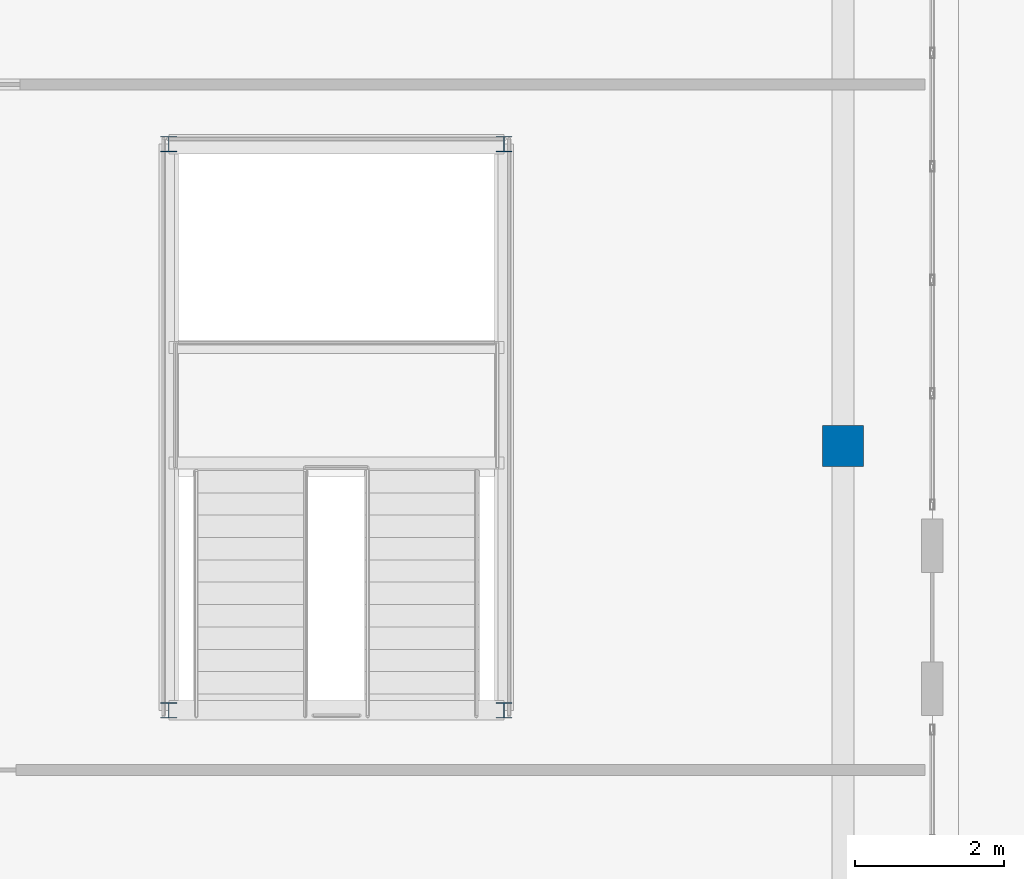
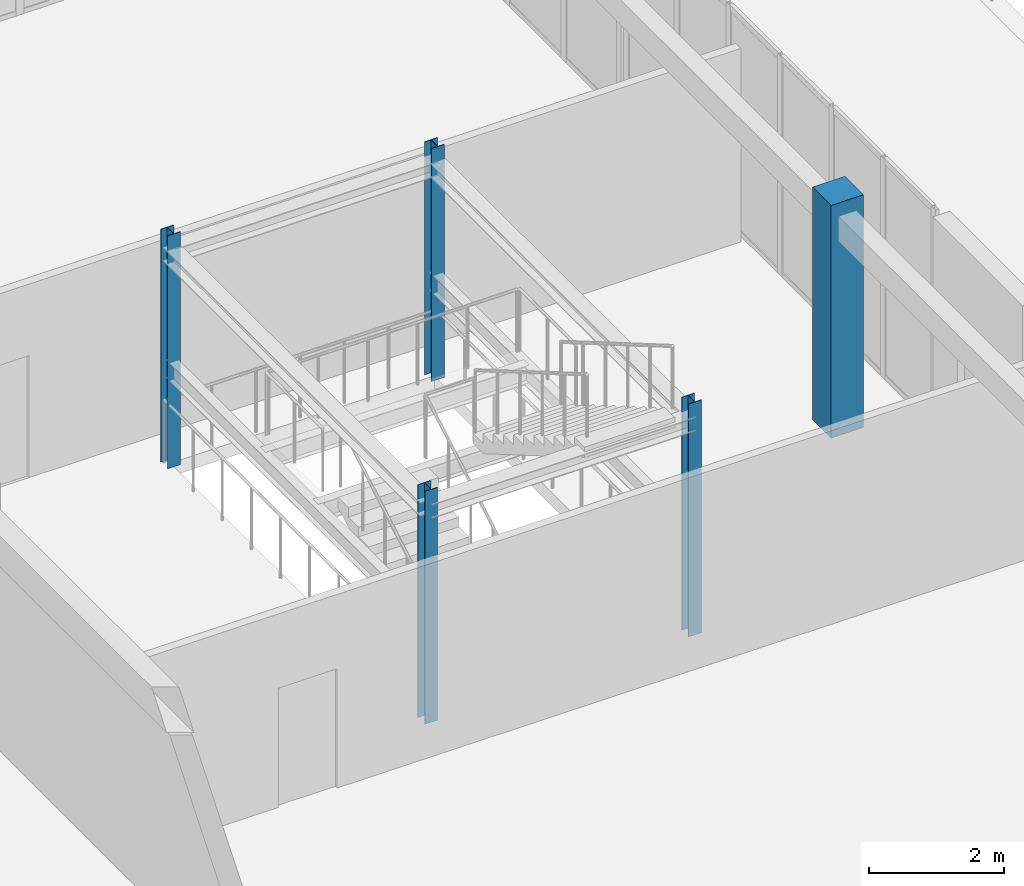
# One storey, part 4 of 90: 5 columns.
"""IFC4 building model written with IfcOpenShell, lengths in metres."""

from ifc_helpers import new_model, si_unit, direction, frame, origin, origin_2d, place, context, subcontext, project, spatial, rectangle, i_section, extrude, material, material_profile, profile_set, type_object, element, save


model = new_model("IFC4")

# Units and contexts
model_context = context("Model", 3, precision=1e-05, world=origin(), true_north=direction((0.0, 1.0)))
body_context = subcontext(model_context, "Body", "Model", "MODEL_VIEW")
ifc_project = project(units=[si_unit("LENGTHUNIT", "METRE"), si_unit("AREAUNIT", "SQUARE_METRE"), si_unit("VOLUMEUNIT", "CUBIC_METRE"), si_unit("PLANEANGLEUNIT", "RADIAN"), si_unit("MASSUNIT", "GRAM", prefix="KILO")], contexts=[model_context])

# Site, building, storey
site_placement = place(None, origin())
site = spatial("IfcSite", under=ifc_project, at=site_placement, CompositionType="ELEMENT")
building_placement = place(site_placement, origin())
building = spatial("IfcBuilding", under=site, at=building_placement, Name="Trelvath General Hospital", CompositionType="ELEMENT")
storey_placement = place(building_placement, frame((0.0, 0.0, 20.39990234375)))
storey = spatial("IfcBuildingStorey", under=building, at=storey_placement, Name="L05", CompositionType="ELEMENT", Elevation=20.39990234375)

# Columns
ifc_material_1 = material(Name="Concrete C40/50", Category="concrete")
ifc_material_profile_1 = material_profile(ifc_material_1, rectangle(XDim=0.550048828125, YDim=0.550048828125, at=origin_2d()), Name="RC550x550")
ifc_profile_set_1 = profile_set([ifc_material_profile_1], Name="Concrete C40/50")
column_type_1 = type_object("IfcColumnType", Name="Column RC550", PredefinedType="COLUMN", material=ifc_profile_set_1)
column_placement = place(storey_placement, frame((107.199951171875, 58.800048828125, 0.0), z_axis=(0.0, 0.0, 1.0), x_axis=(1.0, 0.0, 0.0)))
element("IfcColumn", 1, at=column_placement, inside=storey, type_object=column_type_1, Name="Cube Interior Column CC-E02 L05", PredefinedType="COLUMN", context=body_context, shape_type="SweptSolid", body=[
    extrude(rectangle(XDim=0.550048828125, YDim=0.550048828125, at=origin_2d()), origin(), (0.0, 0.0, 1.0), 4.2001953125),
])
ifc_material_2 = material(Name="Steel S355", Category="steel")
ifc_material_profile_2 = material_profile(ifc_material_2, i_section(OverallWidth=0.219970703125, OverallDepth=0.2099609375, WebThickness=0.007080078125, FlangeThickness=0.010986328125, at=origin_2d()), Name="HEA220")
ifc_profile_set_2 = profile_set([ifc_material_profile_2], Name="Steel S355")
column_type_2 = type_object("IfcColumnType", Name="StairPost HEA220", PredefinedType="COLUMN", material=ifc_profile_set_2)
for number, where, z_axis, x_axis, name in (
    (2, (98.14990234375, 55.25, 0.0), (0.0, 0.0, 1.0), (1.0, 0.0, 0.0), "Atrium Stair Post CUBE-E 1 L05"),
    (3, (102.64990234375, 55.25, 0.0), (0.0, 0.0, 1.0), (1.0, 0.0, 0.0), "Atrium Stair Post CUBE-E 2 L05"),
    (4, (98.14990234375, 62.85009765625, 0.0), (0.0, 0.0, 1.0), (1.0, 0.0, 0.0), "Atrium Stair Post CUBE-E 3 L05"),
    (5, (102.64990234375, 62.85009765625, 0.0), (0.0, 0.0, 1.0), (1.0, 0.0, 0.0), "Atrium Stair Post CUBE-E 4 L05"),
):
    element("IfcColumn", number, at=place(storey_placement, frame(where, z_axis=z_axis, x_axis=x_axis)), inside=storey, type_object=column_type_2, Name=name, PredefinedType="COLUMN", context=body_context, shape_type="SweptSolid", body=[
        extrude(i_section(OverallWidth=0.219970703125, OverallDepth=0.2099609375, WebThickness=0.007080078125, FlangeThickness=0.010986328125, at=origin_2d()), origin(), (0.0, 0.0, 1.0), 4.2001953125),
    ])

save(model, "model.ifc")
